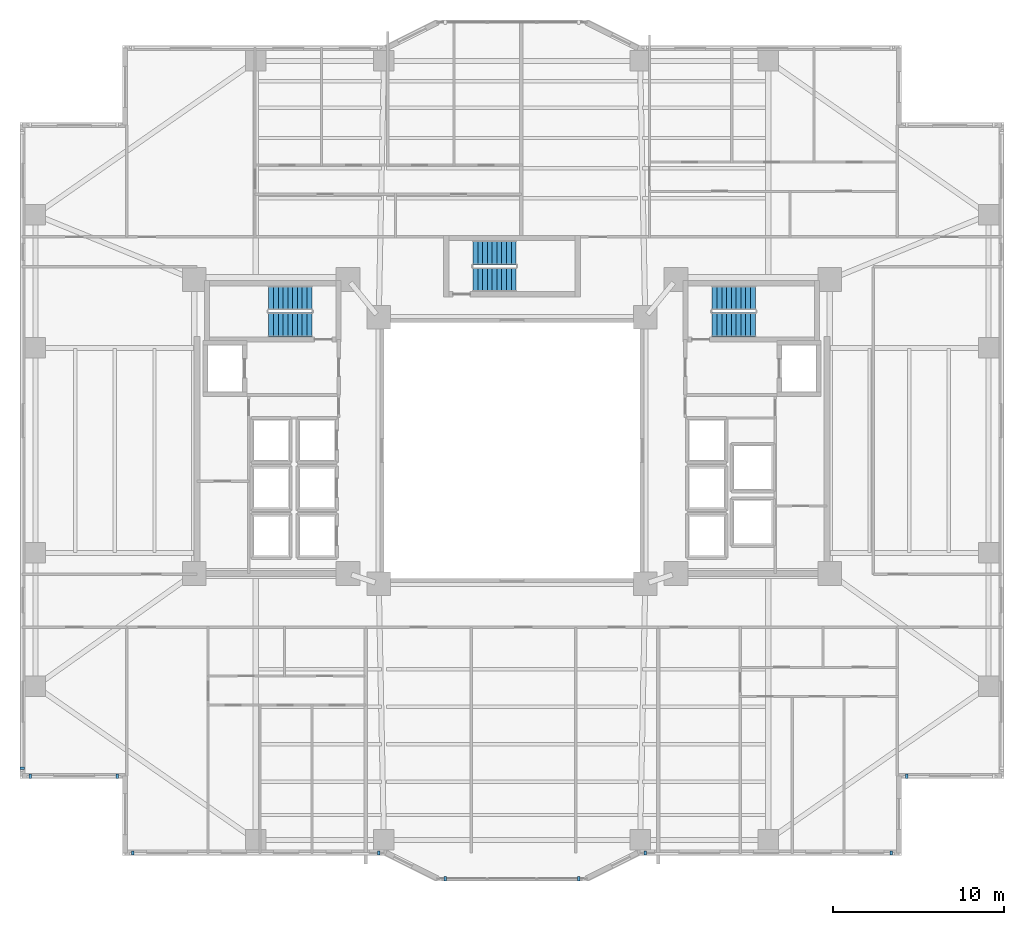
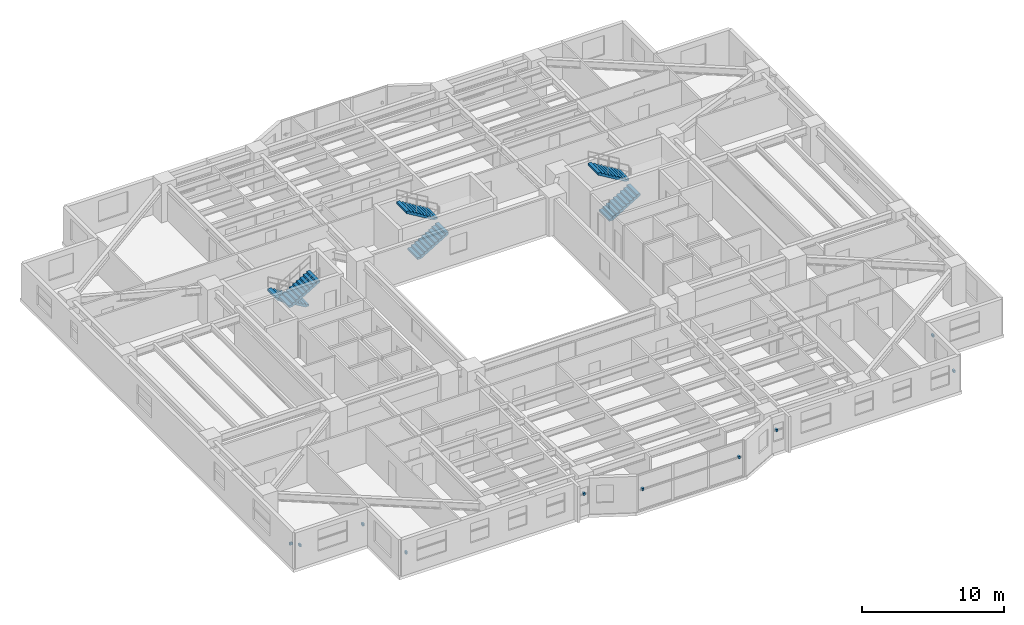
# One storey, part 15 of 20: 10 discrete accessories, 6 stair flights, 3 elements without a shape of their own.
"""IFC4 building model written with IfcOpenShell, lengths in metres."""

from ifc_helpers import new_model, si_unit, direction, frame, origin, origin_2d, place, context, subcontext, project, spatial, polyline, rectangle, outline, extrude, material, type_object, element, aggregate, save


model = new_model("IFC4")

# Units and contexts
model_context = context("Model", 3, precision=1e-05, world=origin(), true_north=direction((0.0, 1.0)))
body_context = subcontext(model_context, "Body", "Model", "MODEL_VIEW")
ifc_project = project(units=[si_unit("LENGTHUNIT", "METRE"), si_unit("AREAUNIT", "SQUARE_METRE"), si_unit("VOLUMEUNIT", "CUBIC_METRE"), si_unit("PLANEANGLEUNIT", "RADIAN"), si_unit("MASSUNIT", "GRAM", prefix="KILO")], contexts=[model_context])

# Site, building, storey
site_placement = place(None, origin())
site = spatial("IfcSite", under=ifc_project, at=site_placement, CompositionType="ELEMENT")
building_placement = place(site_placement, origin())
building = spatial("IfcBuilding", under=site, at=building_placement, Name="Tarnavaz Court Tower", CompositionType="ELEMENT")
storey_placement = place(building_placement, frame((0.0, 0.0, 34.050048828125)))
storey = spatial("IfcBuildingStorey", under=building, at=storey_placement, Name="L08", CompositionType="ELEMENT", Elevation=34.050048828125)

# Stair, stair flights
ifc_material_1 = material(Name="Concrete C40/50", Category="concrete")
stair_type = type_object("IfcStairType", Name="ST-TWR-20R", PredefinedType="HALF_TURN_STAIR", material=ifc_material_1)
stair_1_placement = place(storey_placement, origin())
stair_1 = element("IfcStair", 1, at=stair_1_placement, inside=storey, type_object=stair_type, Name="L08 West Core Pressurized Exit Stair ST-W1", PredefinedType="HALF_TURN_STAIR")
stair_flight_type = type_object("IfcStairFlightType", Name="SFL-RC-20R", PredefinedType="STRAIGHT", material=ifc_material_1)
stair_flight_1_placement = place(storey_placement, frame((-11.719970703125, 8.929931640625, 0.0), z_axis=(0.0, 0.0, 1.0), x_axis=(-1.0, 0.0, 0.0)))
stair_flight_1 = element("IfcStairFlight", 2, at=stair_flight_1_placement, type_object=stair_flight_type, Name="ST-W1 flight 1", NumberOfRisers=10, NumberOfTreads=9, PredefinedType="STRAIGHT", RiserHeight=0.1675, TreadLength=0.28, context=body_context, shape_type="SweptSolid", body=[
    extrude(outline(polyline([(0.0, 0.0), (0.0, 0.16748046875), (0.280029296875, 0.16748046875), (0.280029296875, 0.3349609375), (0.56005859375, 0.3349609375), (0.56005859375, 0.50244140625), (0.840087890625, 0.50244140625), (0.840087890625, 0.669921875), (1.1201171875, 0.669921875), (1.1201171875, 0.83740234375), (1.39990234375, 0.83740234375), (1.39990234375, 1.0048828125), (1.679931640625, 1.0048828125), (1.679931640625, 1.172607421875), (1.9599609375, 1.172607421875), (1.9599609375, 1.340087890625), (2.239990234375, 1.340087890625), (2.239990234375, 1.507568359375), (2.52001953125, 1.507568359375), (2.52001953125, 1.675048828125), (2.52001953125, 1.332763671875), (0.2919921875, 0.0), (0.0, 0.0)])), frame((0.0, 0.7099609375, 0.0), z_axis=(0.0, -1.0, 0.0), x_axis=(1.0, 0.0, 0.0)), (0.0, 0.0, 1.0), 1.419921875),
])
stair_flight_2_placement = place(storey_placement, frame((-14.239990234375, 7.360107421875, 1.675048828125), z_axis=(0.0, 0.0, 1.0), x_axis=(1.0, 0.0, 0.0)))
stair_flight_2 = element("IfcStairFlight", 3, at=stair_flight_2_placement, type_object=stair_flight_type, Name="ST-W1 flight 2", NumberOfRisers=10, NumberOfTreads=9, PredefinedType="STRAIGHT", RiserHeight=0.1675, TreadLength=0.28, context=body_context, shape_type="SweptSolid", body=[
    extrude(outline(polyline([(0.0, 0.0), (0.0, 0.16748046875), (0.280029296875, 0.16748046875), (0.280029296875, 0.3349609375), (0.56005859375, 0.3349609375), (0.56005859375, 0.50244140625), (0.840087890625, 0.50244140625), (0.840087890625, 0.669921875), (1.1201171875, 0.669921875), (1.1201171875, 0.83740234375), (1.39990234375, 0.83740234375), (1.39990234375, 1.0048828125), (1.679931640625, 1.0048828125), (1.679931640625, 1.172607421875), (1.9599609375, 1.172607421875), (1.9599609375, 1.340087890625), (2.239990234375, 1.340087890625), (2.239990234375, 1.507568359375), (2.52001953125, 1.507568359375), (2.52001953125, 1.675048828125), (2.52001953125, 1.332763671875), (0.2919921875, 0.0), (0.0, 0.0)])), frame((0.0, 0.7099609375, 0.0), z_axis=(0.0, -1.0, 0.0), x_axis=(1.0, 0.0, 0.0)), (0.0, 0.0, 1.0), 1.419921875),
])
aggregate(stair_1, [stair_flight_1, stair_flight_2])

stair_2_placement = place(storey_placement, origin())
stair_2 = element("IfcStair", 4, at=stair_2_placement, inside=storey, type_object=stair_type, Name="L08 East Core Pressurized Exit Stair ST-E1", PredefinedType="HALF_TURN_STAIR")
stair_flight_3_placement = place(storey_placement, frame((11.719970703125, 7.360107421875, 0.0), z_axis=(0.0, 0.0, 1.0), x_axis=(1.0, 0.0, 0.0)))
stair_flight_3 = element("IfcStairFlight", 5, at=stair_flight_3_placement, type_object=stair_flight_type, Name="ST-E1 flight 1", NumberOfRisers=10, NumberOfTreads=9, PredefinedType="STRAIGHT", RiserHeight=0.1675, TreadLength=0.28, context=body_context, shape_type="SweptSolid", body=[
    extrude(outline(polyline([(0.0, 0.0), (0.0, 0.16748046875), (0.280029296875, 0.16748046875), (0.280029296875, 0.3349609375), (0.56005859375, 0.3349609375), (0.56005859375, 0.50244140625), (0.840087890625, 0.50244140625), (0.840087890625, 0.669921875), (1.1201171875, 0.669921875), (1.1201171875, 0.83740234375), (1.39990234375, 0.83740234375), (1.39990234375, 1.0048828125), (1.679931640625, 1.0048828125), (1.679931640625, 1.172607421875), (1.9599609375, 1.172607421875), (1.9599609375, 1.340087890625), (2.239990234375, 1.340087890625), (2.239990234375, 1.507568359375), (2.52001953125, 1.507568359375), (2.52001953125, 1.675048828125), (2.52001953125, 1.332763671875), (0.2919921875, 0.0), (0.0, 0.0)])), frame((0.0, 0.7099609375, 0.0), z_axis=(0.0, -1.0, 0.0), x_axis=(1.0, 0.0, 0.0)), (0.0, 0.0, 1.0), 1.419921875),
])
stair_flight_4_placement = place(storey_placement, frame((14.239990234375, 8.929931640625, 1.675048828125), z_axis=(0.0, 0.0, 1.0), x_axis=(-1.0, 0.0, 0.0)))
stair_flight_4 = element("IfcStairFlight", 6, at=stair_flight_4_placement, type_object=stair_flight_type, Name="ST-E1 flight 2", NumberOfRisers=10, NumberOfTreads=9, PredefinedType="STRAIGHT", RiserHeight=0.1675, TreadLength=0.28, context=body_context, shape_type="SweptSolid", body=[
    extrude(outline(polyline([(0.0, 0.0), (0.0, 0.16748046875), (0.280029296875, 0.16748046875), (0.280029296875, 0.3349609375), (0.56005859375, 0.3349609375), (0.56005859375, 0.50244140625), (0.840087890625, 0.50244140625), (0.840087890625, 0.669921875), (1.1201171875, 0.669921875), (1.1201171875, 0.83740234375), (1.39990234375, 0.83740234375), (1.39990234375, 1.0048828125), (1.679931640625, 1.0048828125), (1.679931640625, 1.172607421875), (1.9599609375, 1.172607421875), (1.9599609375, 1.340087890625), (2.239990234375, 1.340087890625), (2.239990234375, 1.507568359375), (2.52001953125, 1.507568359375), (2.52001953125, 1.675048828125), (2.52001953125, 1.332763671875), (0.2919921875, 0.0), (0.0, 0.0)])), frame((0.0, 0.7099609375, 0.0), z_axis=(0.0, -1.0, 0.0), x_axis=(1.0, 0.0, 0.0)), (0.0, 0.0, 1.0), 1.419921875),
])
aggregate(stair_2, [stair_flight_3, stair_flight_4])

stair_3_placement = place(storey_placement, origin())
stair_3 = element("IfcStair", 7, at=stair_3_placement, inside=storey, type_object=stair_type, Name="L08 North Ring Pressurized Exit Stair ST-N1", PredefinedType="HALF_TURN_STAIR")
stair_flight_5_placement = place(storey_placement, frame((-2.280029296875, 10.010009765625, 0.0), z_axis=(0.0, 0.0, 1.0), x_axis=(1.0, 0.0, 0.0)))
stair_flight_5 = element("IfcStairFlight", 8, at=stair_flight_5_placement, type_object=stair_flight_type, Name="ST-N1 flight 1", NumberOfRisers=10, NumberOfTreads=9, PredefinedType="STRAIGHT", RiserHeight=0.1675, TreadLength=0.28, context=body_context, shape_type="SweptSolid", body=[
    extrude(outline(polyline([(0.0, 0.0), (0.0, 0.16748046875), (0.280029296875, 0.16748046875), (0.280029296875, 0.3349609375), (0.56005859375, 0.3349609375), (0.56005859375, 0.50244140625), (0.840087890625, 0.50244140625), (0.840087890625, 0.669921875), (1.1201171875, 0.669921875), (1.1201171875, 0.83740234375), (1.39990234375, 0.83740234375), (1.39990234375, 1.0048828125), (1.679931640625, 1.0048828125), (1.679931640625, 1.172607421875), (1.9599609375, 1.172607421875), (1.9599609375, 1.340087890625), (2.239990234375, 1.340087890625), (2.239990234375, 1.507568359375), (2.52001953125, 1.507568359375), (2.52001953125, 1.675048828125), (2.52001953125, 1.332763671875), (0.2919921875, 0.0), (0.0, 0.0)])), frame((0.0, 0.7099609375, 0.0), z_axis=(0.0, -1.0, 0.0), x_axis=(1.0, 0.0, 0.0)), (0.0, 0.0, 1.0), 1.419921875),
])
stair_flight_6_placement = place(storey_placement, frame((0.239990234375, 11.580078125, 1.675048828125), z_axis=(0.0, 0.0, 1.0), x_axis=(-1.0, 0.0, 0.0)))
stair_flight_6 = element("IfcStairFlight", 9, at=stair_flight_6_placement, type_object=stair_flight_type, Name="ST-N1 flight 2", NumberOfRisers=10, NumberOfTreads=9, PredefinedType="STRAIGHT", RiserHeight=0.1675, TreadLength=0.28, context=body_context, shape_type="SweptSolid", body=[
    extrude(outline(polyline([(0.0, 0.0), (0.0, 0.16748046875), (0.280029296875, 0.16748046875), (0.280029296875, 0.3349609375), (0.56005859375, 0.3349609375), (0.56005859375, 0.50244140625), (0.840087890625, 0.50244140625), (0.840087890625, 0.669921875), (1.1201171875, 0.669921875), (1.1201171875, 0.83740234375), (1.39990234375, 0.83740234375), (1.39990234375, 1.0048828125), (1.679931640625, 1.0048828125), (1.679931640625, 1.172607421875), (1.9599609375, 1.172607421875), (1.9599609375, 1.340087890625), (2.239990234375, 1.340087890625), (2.239990234375, 1.507568359375), (2.52001953125, 1.507568359375), (2.52001953125, 1.675048828125), (2.52001953125, 1.332763671875), (0.2919921875, 0.0), (0.0, 0.0)])), frame((0.0, 0.7099609375, 0.0), z_axis=(0.0, -1.0, 0.0), x_axis=(1.0, 0.0, 0.0)), (0.0, 0.0, 1.0), 1.419921875),
])
aggregate(stair_3, [stair_flight_5, stair_flight_6])

# Discrete accessories
ifc_material_2 = material(Name="Anodised Aluminium 6063-T6", Category="aluminium")
discrete_accessory_type = type_object("IfcDiscreteAccessoryType", Name="DA-BRKT-ALU", PredefinedType="BRACKET", material=ifc_material_2)
for number, where, z_axis, x_axis, name in (
    (10, (-23.10009765625, -19.070068359375, 1.75), (0.0, 0.0, 1.0), (-1.0, 0.0, 0.0), "L08 Baguette Outrigger Bracket FBG01-1"),
    (11, (-28.199951171875, -19.070068359375, 1.75), (0.0, 0.0, 1.0), (-1.0, 0.0, 0.0), "L08 Baguette Outrigger Bracket FBG01-2"),
    (12, (-28.669921875, -18.60009765625, 1.75), (0.0, 0.0, 1.0), (0.0, 1.0, 0.0), "L08 Baguette Outrigger Bracket FBG02-1"),
    (13, (23.10009765625, -19.070068359375, 1.75), (0.0, 0.0, 1.0), (-1.0, 0.0, 0.0), "L08 Baguette Outrigger Bracket FBG13-2"),
    (14, (22.199951171875, -23.570068359375, 1.75), (0.0, 0.0, 1.0), (-1.0, 0.0, 0.0), "L08 Baguette Outrigger Bracket FBG15-1"),
    (15, (7.800048828125, -23.570068359375, 1.75), (0.0, 0.0, 1.0), (-1.0, 0.0, 0.0), "L08 Baguette Outrigger Bracket FBG15-2"),
    (16, (3.89990234375, -25.070068359375, 1.7001953125), (0.0, 0.0, 1.0), (-1.0, 0.0, 0.0), "L08 Baguette Outrigger Bracket PBG17-1"),
    (17, (-3.89990234375, -25.070068359375, 1.7001953125), (0.0, 0.0, 1.0), (-1.0, 0.0, 0.0), "L08 Baguette Outrigger Bracket PBG17-2"),
    (18, (-7.800048828125, -23.570068359375, 1.75), (0.0, 0.0, 1.0), (-1.0, 0.0, 0.0), "L08 Baguette Outrigger Bracket FBG19-1"),
    (19, (-22.199951171875, -23.570068359375, 1.75), (0.0, 0.0, 1.0), (-1.0, 0.0, 0.0), "L08 Baguette Outrigger Bracket FBG19-2"),
):
    element("IfcDiscreteAccessory", number, at=place(storey_placement, frame(where, z_axis=z_axis, x_axis=x_axis)), inside=storey, type_object=discrete_accessory_type, Name=name, PredefinedType="BRACKET", context=body_context, shape_type="SweptSolid", body=[
        extrude(rectangle(XDim=0.139892578125, YDim=0.239990234375, at=origin_2d()), origin(), (0.0, 0.0, 1.0), 0.199951171875),
    ])

save(model, "model.ifc")
